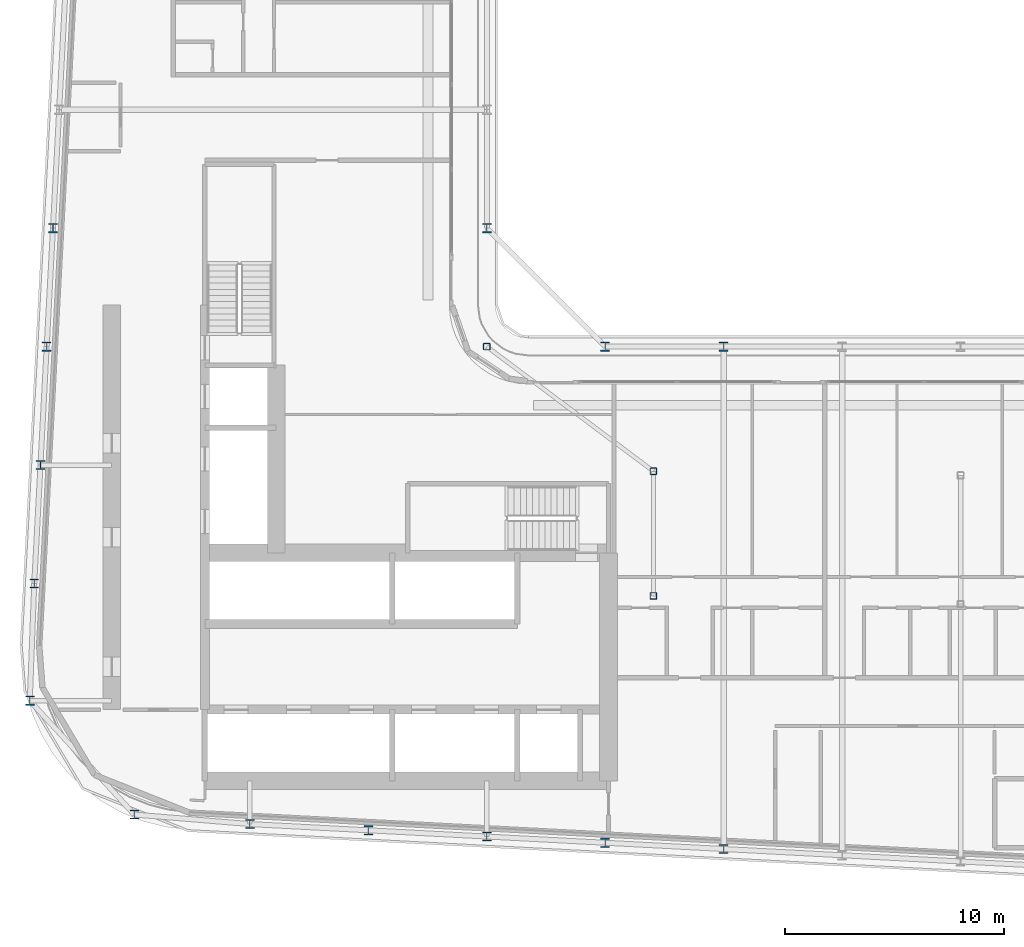
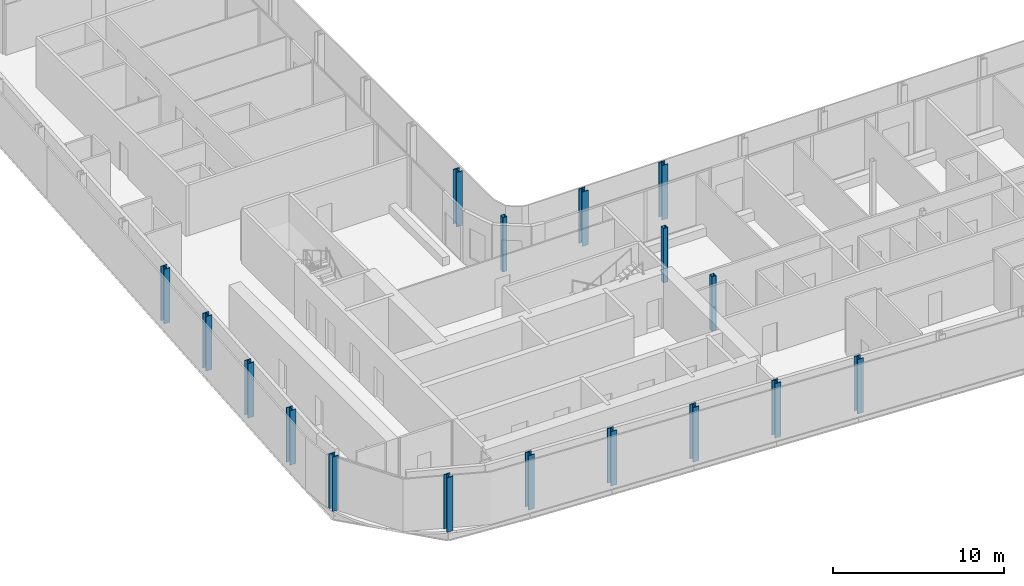
# One storey, part 1 of 29: 17 columns.
"""IFC4 building model written with IfcOpenShell, lengths in metres."""

import ifcopenshell
import ifcopenshell.guid

model = None  # the IFC model being written
_history = None  # IfcOwnerHistory: only IFC2X3 demands one
_inside = {}  # id of a spatial element -> (the spatial element, [elements in it])
_under = {}  # id of a project, library or spatial element -> (it, [spatial elements below it])
_declared = {}  # id of a project -> (the project, [libraries it declares])
_typed = {}  # id of a type object -> (the type object, [elements of that type])
_made_of = {}  # id of a material, layer set ... -> (it, [elements and type objects made of it])


def new_model(schema):
    """Start an empty IFC model of exactly this schema.

    Asked for "IFC4X3", IfcOpenShell would pick the latest addendum, in which some entities
    have other attributes; the version numbers below select the first issue.
    IFC2X3 requires an IfcOwnerHistory on every rooted entity: one is made here for all.
    """
    global model, _history
    if schema == "IFC4X3":
        model = ifcopenshell.file(schema_version=(4, 3, 0, 0))
    else:
        model = ifcopenshell.file(schema=schema)
    _inside.clear()
    _under.clear()
    _declared.clear()
    _typed.clear()
    _made_of.clear()
    _history = None
    if model.schema == "IFC2X3":
        org = make("IfcOrganization", Name="unknown")
        user = make(
            "IfcPersonAndOrganization",
            ThePerson=make("IfcPerson", FamilyName="unknown"),
            TheOrganization=org,
        )
        app = make(
            "IfcApplication",
            ApplicationDeveloper=org,
            Version="unknown",
            ApplicationFullName="unknown",
            ApplicationIdentifier="unknown",
        )
        _history = make(
            "IfcOwnerHistory",
            OwningUser=user,
            OwningApplication=app,
            ChangeAction="ADDED",
            CreationDate=0,
        )
    return model


def make(cls, **values):
    """One entity of the class cls with the attributes given. An attribute that is None is left unset."""
    return model.create_entity(
        cls, **{name: value for name, value in values.items() if value is not None}
    )


def rooted(cls, **values):
    """An entity with a GlobalId (a new one), such as an element, a storey or a relation."""
    return make(cls, GlobalId=ifcopenshell.guid.new(), OwnerHistory=_history, **values)


def si_unit(unit_type, name, prefix=None):
    """IfcSIUnit, for example si_unit("LENGTHUNIT", "METRE", prefix="MILLI")."""
    return make("IfcSIUnit", UnitType=unit_type, Prefix=prefix, Name=name)


def assignment(units):
    """IfcUnitAssignment: the units of a project."""
    return None if units is None else make("IfcUnitAssignment", Units=units)


def point(xyz):
    """IfcCartesianPoint."""
    return None if xyz is None else make("IfcCartesianPoint", Coordinates=xyz)


def direction(xyz):
    """IfcDirection."""
    return None if xyz is None else make("IfcDirection", DirectionRatios=xyz)


def frame(location, z_axis=None, x_axis=None):
    """IfcAxis2Placement3D, a coordinate frame: its origin and axes. An axis left out is left unset."""
    return make(
        "IfcAxis2Placement3D",
        Location=point(location),
        Axis=direction(z_axis),
        RefDirection=direction(x_axis),
    )


def frame_2d(location, x_axis=None):
    """IfcAxis2Placement2D, a coordinate frame in the plane: its origin and x axis."""
    return make(
        "IfcAxis2Placement2D", Location=point(location), RefDirection=direction(x_axis)
    )


def origin():
    """The frame at (0, 0, 0) with its axes left unset."""
    return frame((0.0, 0.0, 0.0))


def origin_2d():
    """The frame at (0, 0) in the plane with its x axis left unset."""
    return frame_2d((0.0, 0.0))


def place(relative_to, where):
    """IfcLocalPlacement: puts the frame where relative to a parent placement (None: the world)."""
    return make(
        "IfcLocalPlacement", PlacementRelTo=relative_to, RelativePlacement=where
    )


def context(
    kind, dimensions, precision=None, world=None, true_north=None, identifier=None
):
    """IfcGeometricRepresentationContext, for example the 3D "Model" context."""
    return make(
        "IfcGeometricRepresentationContext",
        ContextIdentifier=identifier,
        ContextType=kind,
        CoordinateSpaceDimension=dimensions,
        Precision=precision,
        WorldCoordinateSystem=world,
        TrueNorth=true_north,
    )


def subcontext(parent, identifier, kind, view, scale=None):
    """IfcGeometricRepresentationSubContext, for example "Body" below "Model"."""
    return make(
        "IfcGeometricRepresentationSubContext",
        ContextIdentifier=identifier,
        ContextType=kind,
        ParentContext=parent,
        TargetScale=scale,
        TargetView=view,
    )


def project(units=None, contexts=None):
    """IfcProject with its units and contexts."""
    return rooted(
        "IfcProject",
        Name="project",
        RepresentationContexts=contexts,
        UnitsInContext=assignment(units),
    )


def spatial(cls, under=None, at=None, **own):
    """A site, building, storey or space (cls), placed at a placement, below another one or the project."""
    s = rooted(cls, ObjectPlacement=at, **own)
    if under is not None:
        _under.setdefault(under.id(), (under, []))[1].append(s)
    return s


def profile(cls, at=None, kind="AREA", **sizes):
    """A parametric profile (cls). Its sizes go by their IFC names, for example OverallWidth=200.0."""
    return make(cls, ProfileType=kind, Position=at, **sizes)


def hollow_rectangle(**sizes):
    """IfcRectangleHollowProfileDef."""
    return profile("IfcRectangleHollowProfileDef", **sizes)


def i_section(**sizes):
    """IfcIShapeProfileDef."""
    return profile("IfcIShapeProfileDef", **sizes)


def extrude(swept, where, along, depth):
    """IfcExtrudedAreaSolid: the profile swept, set in the frame where, extruded along a direction by depth."""
    return make(
        "IfcExtrudedAreaSolid",
        SweptArea=swept,
        Position=where,
        ExtrudedDirection=direction(along),
        Depth=depth,
    )


def shape(context_of_items, identifier, shape_type, items):
    """IfcShapeRepresentation: the items that make up one representation, for example the "Body"."""
    return make(
        "IfcShapeRepresentation",
        ContextOfItems=context_of_items,
        RepresentationIdentifier=identifier,
        RepresentationType=shape_type,
        Items=items,
    )


def material(Name=None, Category=None):
    """IfcMaterial."""
    return make("IfcMaterial", Name=Name, Category=Category)


def material_profile(
    of_material, cross_section, Name=None, Category=None, Priority=None
):
    """IfcMaterialProfile: a cross section and its material."""
    return make(
        "IfcMaterialProfile",
        Name=Name,
        Material=of_material,
        Profile=cross_section,
        Priority=Priority,
        Category=Category,
    )


def profile_set(profiles, Name=None, composite=None):
    """IfcMaterialProfileSet."""
    return make(
        "IfcMaterialProfileSet",
        Name=Name,
        MaterialProfiles=profiles,
        CompositeProfile=composite,
    )


def made_of(thing, what):
    """Note that an element or type object is made of a material, layer set ...; save() writes the relation."""
    if what is not None:
        _made_of.setdefault(what.id(), (what, []))[1].append(thing)
    return thing


def type_object(cls, material=None, **own):
    """A type object (cls), such as IfcWallType, which elements share."""
    return made_of(rooted(cls, **own), material)


def element(
    cls,
    number,
    at=None,
    inside=None,
    cuts=None,
    type_object=None,
    material=None,
    context=None,
    identifier="Body",
    shape_type=None,
    held_by="IfcProductDefinitionShape",
    body=None,
    shapes=None,
    **own,
):
    """One element of the class cls, such as IfcWall. Its Tag is "e" and its number.

    at: its placement. inside: the storey or other place that contains it. cuts: it is an
    opening in that element (IfcRelVoidsElement). A single representation is given by context,
    identifier, shape_type and body (its items); several are given by shapes. held_by: the class
    of the entity that holds the representations. save() writes the other relations.
    """
    e = rooted(cls, Tag="e%d" % number, ObjectPlacement=at, **own)
    if body is not None:
        shapes = [shape(context, identifier, shape_type, body)]
    if shapes is not None:
        e.Representation = make(held_by, Representations=shapes)
    if inside is not None:
        _inside.setdefault(inside.id(), (inside, []))[1].append(e)
    if cuts is not None:
        rooted(
            "IfcRelVoidsElement", RelatingBuildingElement=cuts, RelatedOpeningElement=e
        )
    if type_object is not None:
        _typed.setdefault(type_object.id(), (type_object, []))[1].append(e)
    return made_of(e, material)


def aggregate(whole, parts):
    """IfcRelAggregates: a whole, such as a stair, and the parts it consists of."""
    return rooted("IfcRelAggregates", RelatingObject=whole, RelatedObjects=parts)


def save(model, path):
    """Write the relations noted so far, then the file.

    IfcRelAggregates (storeys below a building ...), IfcRelContainedInSpatialStructure (elements
    in a storey), IfcRelDefinesByType, IfcRelAssociatesMaterial and IfcRelDeclares: one each for
    every whole, place, type object, material and project.
    """
    for whole, parts in _under.values():
        aggregate(whole, parts)
    for where, things in _inside.values():
        rooted(
            "IfcRelContainedInSpatialStructure",
            RelatedElements=things,
            RelatingStructure=where,
        )
    for kind, things in _typed.values():
        rooted("IfcRelDefinesByType", RelatedObjects=things, RelatingType=kind)
    for what, things in _made_of.values():
        rooted("IfcRelAssociatesMaterial", RelatedObjects=things, RelatingMaterial=what)
    for by, libraries in _declared.values():
        rooted("IfcRelDeclares", RelatingContext=by, RelatedDefinitions=libraries)
    model.write(path)


model = new_model("IFC4")

# Units and contexts
model_context = context("Model", 3, precision=1e-05, world=origin(), true_north=direction((0.0, 1.0)))
body_context = subcontext(model_context, "Body", "Model", "MODEL_VIEW")
ifc_project = project(units=[si_unit("LENGTHUNIT", "METRE"), si_unit("AREAUNIT", "SQUARE_METRE"), si_unit("VOLUMEUNIT", "CUBIC_METRE"), si_unit("PLANEANGLEUNIT", "RADIAN"), si_unit("MASSUNIT", "GRAM", prefix="KILO")], contexts=[model_context])

# Site, building, storey
site_placement = place(None, origin())
site = spatial("IfcSite", under=ifc_project, at=site_placement, CompositionType="ELEMENT")
building_placement = place(site_placement, origin())
building = spatial("IfcBuilding", under=site, at=building_placement, Name="Kheshtan School and Residences Tower", CompositionType="ELEMENT")
storey_placement = place(building_placement, frame((0.0, 0.0, 168.199951171875)))
storey = spatial("IfcBuildingStorey", under=building, at=storey_placement, Name="L39", CompositionType="ELEMENT", Elevation=168.199951171875)

# Columns
ifc_material_1 = material(Name="Steel ASTM A992 Grade 50", Category="steel")
ifc_material_profile_1 = material_profile(ifc_material_1, i_section(OverallWidth=0.408935546875, OverallDepth=0.425048828125, WebThickness=0.03271484375, FlangeThickness=0.052490234375, FilletRadius=0.0126953125, at=origin_2d()), Name="W360x421")
ifc_profile_set_1 = profile_set([ifc_material_profile_1], Name="Steel ASTM A992 Grade 50")
column_type_1 = type_object("IfcColumnType", Name="Column C3 W360x421 ASTM A992 Grade 50", PredefinedType="COLUMN", material=ifc_profile_set_1)
for number, where, z_axis, x_axis, name in (
    (1, (58.39990234375, 22.695068359375, 0.0), (0.0, 0.0, 1.0), (1.0, 0.0, 0.0), "Column C018"),
    (2, (53.0, 22.97998046875, 0.0), (0.0, 0.0, 1.0), (1.0, 0.0, 0.0), "Column C019"),
    (3, (47.60009765625, 23.263916015625, 0.0), (0.0, 0.0, 1.0), (1.0, 0.0, 0.0), "Column C020"),
    (4, (42.199951171875, 23.548095703125, 0.0), (0.0, 0.0, 1.0), (1.0, 0.0, 0.0), "Column C021"),
    (5, (36.800048828125, 23.83203125, 0.0), (0.0, 0.0, 1.0), (1.0, 0.0, 0.0), "Column C022"),
    (6, (31.531982421875, 24.26611328125, 0.0), (0.0, 0.0, 1.0), (1.0, 0.0, 0.0), "Column C026"),
    (7, (26.76611328125, 29.458984375, 0.0), (0.0, 0.0, 1.0), (1.0, 0.0, 0.0), "Column C039"),
    (8, (26.968994140625, 34.800048828125, 0.0), (0.0, 0.0, 1.0), (1.0, 0.0, 0.0), "Column C052"),
    (9, (27.2529296875, 40.199951171875, 0.0), (0.0, 0.0, 1.0), (1.0, 0.0, 0.0), "Column C056"),
    (10, (27.537109375, 45.60009765625, 0.0), (0.0, 0.0, 1.0), (1.0, 0.0, 0.0), "Column C059"),
    (11, (53.0, 45.60009765625, 0.0), (0.0, 0.0, 1.0), (1.0, 0.0, 0.0), "Column C061"),
    (12, (58.39990234375, 45.60009765625, 0.0), (0.0, 0.0, 1.0), (1.0, 0.0, 0.0), "Column C062"),
    (13, (27.822021484375, 51.0, 0.0), (0.0, 0.0, 1.0), (1.0, 0.0, 0.0), "Column C078"),
    (14, (47.60009765625, 51.0, 0.0), (0.0, 0.0, 1.0), (1.0, 0.0, 0.0), "Column C079"),
):
    element("IfcColumn", number, at=place(storey_placement, frame(where, z_axis=z_axis, x_axis=x_axis)), inside=storey, type_object=column_type_1, Name=name, PredefinedType="COLUMN", context=body_context, shape_type="SweptSolid", body=[
        extrude(i_section(OverallWidth=0.408935546875, OverallDepth=0.425048828125, WebThickness=0.03271484375, FlangeThickness=0.052490234375, FilletRadius=0.0126953125, at=origin_2d()), origin(), (0.0, 0.0, 1.0), 3.900146484375),
    ])
ifc_material_2 = material(Name="Steel ASTM A500 Grade C", Category="steel")
ifc_material_profile_2 = material_profile(ifc_material_2, hollow_rectangle(XDim=0.304931640625, YDim=0.304931640625, WallThickness=0.015869140625, InnerFilletRadius=0.015869140625, OuterFilletRadius=0.03173828125, at=origin_2d()), Name="HSS 305x305x15.9")
ifc_profile_set_2 = profile_set([ifc_material_profile_2], Name="Steel ASTM A500 Grade C")
column_type_2 = type_object("IfcColumnType", Name="Column IC2 HSS 305x305x15.9 ASTM A500 Grade C", PredefinedType="COLUMN", material=ifc_profile_set_2)
for number, where, z_axis, x_axis, name in (
    (15, (55.199951171875, 34.23193359375, 0.0), (0.0, 0.0, 1.0), (1.0, 0.0, 0.0), "Column C051"),
    (16, (55.199951171875, 39.916015625, 0.0), (0.0, 0.0, 1.0), (1.0, 0.0, 0.0), "Column C055"),
    (17, (47.60009765625, 45.60009765625, 0.0), (0.0, 0.0, 1.0), (1.0, 0.0, 0.0), "Column C060"),
):
    element("IfcColumn", number, at=place(storey_placement, frame(where, z_axis=z_axis, x_axis=x_axis)), inside=storey, type_object=column_type_2, Name=name, PredefinedType="COLUMN", context=body_context, shape_type="SweptSolid", body=[
        extrude(hollow_rectangle(XDim=0.304931640625, YDim=0.304931640625, WallThickness=0.015869140625, InnerFilletRadius=0.015869140625, OuterFilletRadius=0.03173828125, at=origin_2d()), origin(), (0.0, 0.0, 1.0), 3.900146484375),
    ])

save(model, "model.ifc")
